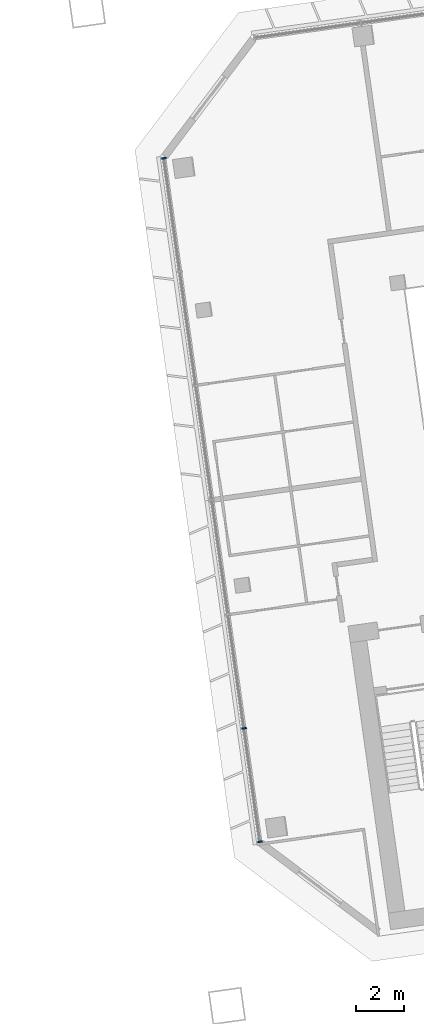
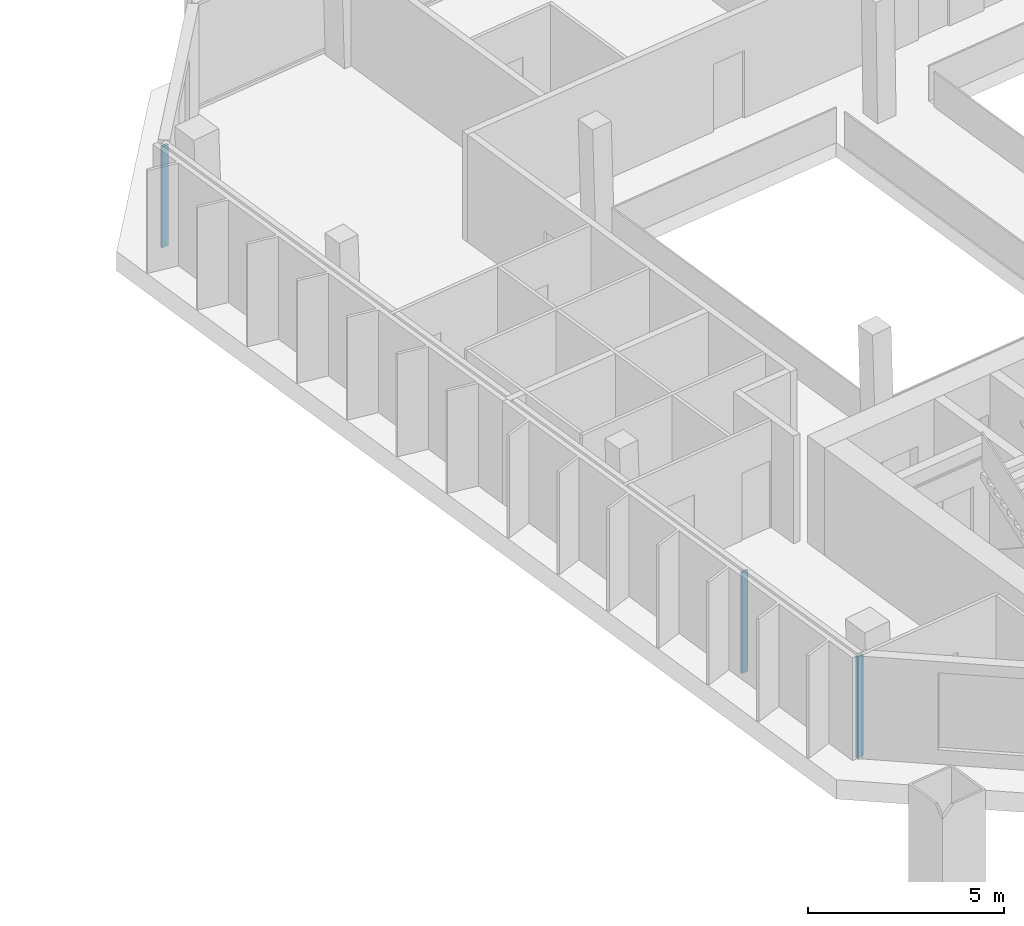
# One storey, part 9 of 26: 3 members, 1 element without a shape of its own.
"""IFC4 building model written with IfcOpenShell, lengths in metres."""

from ifc_helpers import new_model, si_unit, direction, frame, origin, origin_2d, place, context, subcontext, project, spatial, rectangle, extrude, material, material_profile, profile_set, type_object, element, aggregate, save


model = new_model("IFC4")

# Units and contexts
model_context = context("Model", 3, precision=1e-05, world=origin(), true_north=direction((0.0, 1.0)))
body_context = subcontext(model_context, "Body", "Model", "MODEL_VIEW")
ifc_project = project(units=[si_unit("LENGTHUNIT", "METRE"), si_unit("AREAUNIT", "SQUARE_METRE"), si_unit("VOLUMEUNIT", "CUBIC_METRE"), si_unit("PLANEANGLEUNIT", "RADIAN"), si_unit("MASSUNIT", "GRAM", prefix="KILO")], contexts=[model_context])

# Site, building, storey
site_placement = place(None, origin())
site = spatial("IfcSite", under=ifc_project, at=site_placement, CompositionType="ELEMENT")
building_placement = place(site_placement, origin())
building = spatial("IfcBuilding", under=site, at=building_placement, Name="Mirante Cascada Hotel Towers", CompositionType="ELEMENT")
storey_placement = place(building_placement, frame((0.0, 0.0, 168.8)))
storey = spatial("IfcBuildingStorey", under=building, at=storey_placement, Name="L39", CompositionType="ELEMENT", Elevation=168.8)

# Curtain wall, members
ifc_material_1 = material(Name="Aluminium mullion and transom frame with clear laminated glass", Category="aluminium")
curtain_wall_type = type_object("IfcCurtainWallType", Name="End ribbon curtain wall ECW2", PredefinedType="NOTDEFINED", material=ifc_material_1)
curtain_wall_placement = place(storey_placement, origin())
curtain_wall = element("IfcCurtainWall", 1, at=curtain_wall_placement, inside=storey, type_object=curtain_wall_type, Name="Inner end wall T2 L39", PredefinedType="NOTDEFINED")
ifc_material_2 = material(Name="Anodised aluminium extrusion", Category="aluminium")
ifc_material_profile = material_profile(ifc_material_2, rectangle(XDim=0.2, YDim=0.065, at=origin_2d()), Name="ECW2 MULLION 65x200")
ifc_profile_set = profile_set([ifc_material_profile], Name="Anodised aluminium extrusion")
member_type = type_object("IfcMemberType", Name="ECW2 mullion 65x200", PredefinedType="MULLION", material=ifc_profile_set)
member_1_placement = place(storey_placement, frame((27.8093, 12.2391, 0.1), z_axis=(0.0, 0.0, 1.0), x_axis=(0.9902681, 0.1391731, 0.0)))
member_1 = element("IfcMember", 2, at=member_1_placement, type_object=member_type, Name="ECW2 mullion 1", PredefinedType="MULLION", context=body_context, shape_type="SweptSolid", body=[
    extrude(rectangle(XDim=0.2, YDim=0.065, at=origin_2d()), origin(), (0.0, 0.0, 1.0), 3.15),
])
member_2_placement = place(storey_placement, frame((31.1537, -11.5577, 0.1), z_axis=(0.0, 0.0, 1.0), x_axis=(0.9902681, 0.1391731, 0.0)))
member_2 = element("IfcMember", 3, at=member_2_placement, type_object=member_type, Name="ECW2 mullion 6", PredefinedType="MULLION", context=body_context, shape_type="SweptSolid", body=[
    extrude(rectangle(XDim=0.2, YDim=0.065, at=origin_2d()), origin(), (0.0, 0.0, 1.0), 3.15),
])
member_3_placement = place(storey_placement, frame((31.819, -16.2913, 0.1), z_axis=(0.0, 0.0, 1.0), x_axis=(0.9902681, 0.1391731, 0.0)))
member_3 = element("IfcMember", 4, at=member_3_placement, type_object=member_type, Name="ECW2 mullion 7", PredefinedType="MULLION", context=body_context, shape_type="SweptSolid", body=[
    extrude(rectangle(XDim=0.2, YDim=0.065, at=origin_2d()), origin(), (0.0, 0.0, 1.0), 3.15),
])
aggregate(curtain_wall, [member_1, member_2, member_3])

save(model, "model.ifc")
